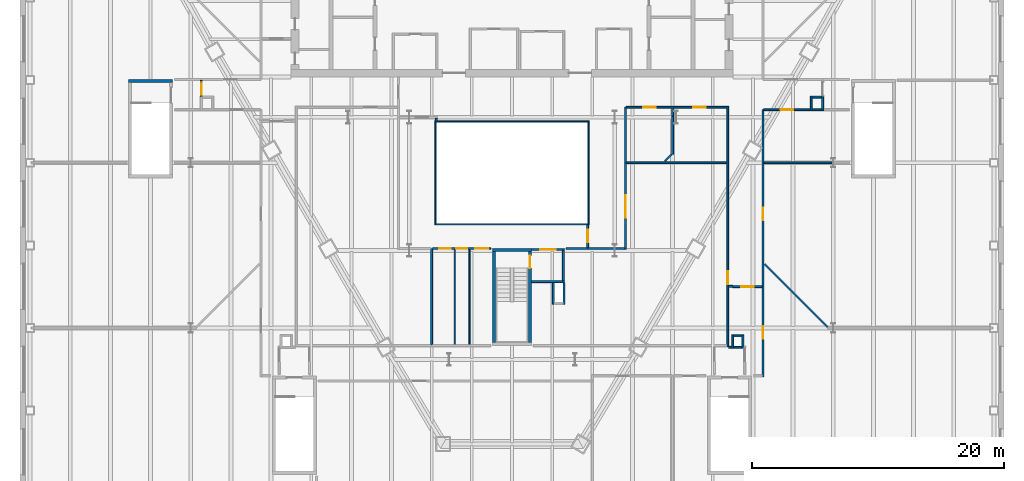
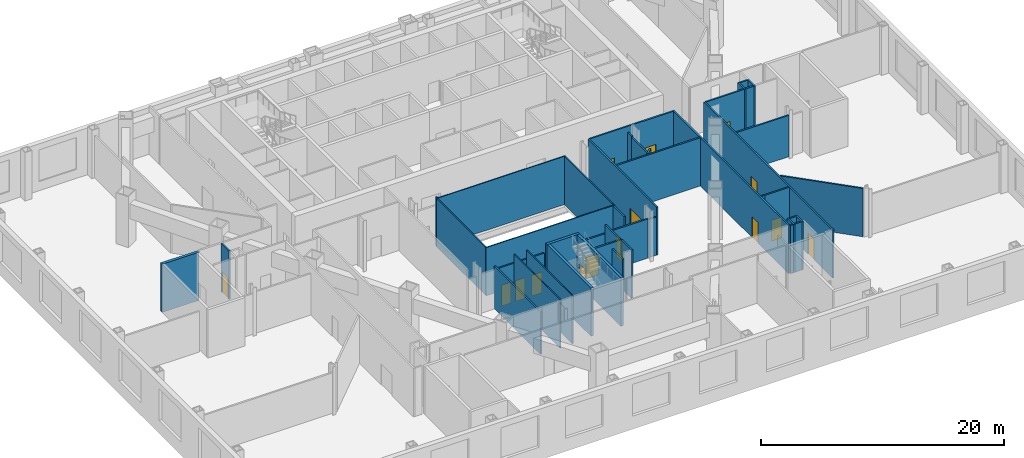
# One storey, part 10 of 17: 44 walls, 15 doors, 15 openings.
"""IFC4 building model written with IfcOpenShell, lengths in metres."""

import ifcopenshell
import ifcopenshell.guid

model = None  # the IFC model being written
_history = None  # IfcOwnerHistory: only IFC2X3 demands one
_inside = {}  # id of a spatial element -> (the spatial element, [elements in it])
_under = {}  # id of a project, library or spatial element -> (it, [spatial elements below it])
_declared = {}  # id of a project -> (the project, [libraries it declares])
_typed = {}  # id of a type object -> (the type object, [elements of that type])
_made_of = {}  # id of a material, layer set ... -> (it, [elements and type objects made of it])


def new_model(schema):
    """Start an empty IFC model of exactly this schema.

    Asked for "IFC4X3", IfcOpenShell would pick the latest addendum, in which some entities
    have other attributes; the version numbers below select the first issue.
    IFC2X3 requires an IfcOwnerHistory on every rooted entity: one is made here for all.
    """
    global model, _history
    if schema == "IFC4X3":
        model = ifcopenshell.file(schema_version=(4, 3, 0, 0))
    else:
        model = ifcopenshell.file(schema=schema)
    _inside.clear()
    _under.clear()
    _declared.clear()
    _typed.clear()
    _made_of.clear()
    _history = None
    if model.schema == "IFC2X3":
        org = make("IfcOrganization", Name="unknown")
        user = make(
            "IfcPersonAndOrganization",
            ThePerson=make("IfcPerson", FamilyName="unknown"),
            TheOrganization=org,
        )
        app = make(
            "IfcApplication",
            ApplicationDeveloper=org,
            Version="unknown",
            ApplicationFullName="unknown",
            ApplicationIdentifier="unknown",
        )
        _history = make(
            "IfcOwnerHistory",
            OwningUser=user,
            OwningApplication=app,
            ChangeAction="ADDED",
            CreationDate=0,
        )
    return model


def make(cls, **values):
    """One entity of the class cls with the attributes given. An attribute that is None is left unset."""
    return model.create_entity(
        cls, **{name: value for name, value in values.items() if value is not None}
    )


def rooted(cls, **values):
    """An entity with a GlobalId (a new one), such as an element, a storey or a relation."""
    return make(cls, GlobalId=ifcopenshell.guid.new(), OwnerHistory=_history, **values)


def si_unit(unit_type, name, prefix=None):
    """IfcSIUnit, for example si_unit("LENGTHUNIT", "METRE", prefix="MILLI")."""
    return make("IfcSIUnit", UnitType=unit_type, Prefix=prefix, Name=name)


def assignment(units):
    """IfcUnitAssignment: the units of a project."""
    return None if units is None else make("IfcUnitAssignment", Units=units)


def point(xyz):
    """IfcCartesianPoint."""
    return None if xyz is None else make("IfcCartesianPoint", Coordinates=xyz)


def direction(xyz):
    """IfcDirection."""
    return None if xyz is None else make("IfcDirection", DirectionRatios=xyz)


def frame(location, z_axis=None, x_axis=None):
    """IfcAxis2Placement3D, a coordinate frame: its origin and axes. An axis left out is left unset."""
    return make(
        "IfcAxis2Placement3D",
        Location=point(location),
        Axis=direction(z_axis),
        RefDirection=direction(x_axis),
    )


def frame_2d(location, x_axis=None):
    """IfcAxis2Placement2D, a coordinate frame in the plane: its origin and x axis."""
    return make(
        "IfcAxis2Placement2D", Location=point(location), RefDirection=direction(x_axis)
    )


def origin():
    """The frame at (0, 0, 0) with its axes left unset."""
    return frame((0.0, 0.0, 0.0))


def place(relative_to, where):
    """IfcLocalPlacement: puts the frame where relative to a parent placement (None: the world)."""
    return make(
        "IfcLocalPlacement", PlacementRelTo=relative_to, RelativePlacement=where
    )


def context(
    kind, dimensions, precision=None, world=None, true_north=None, identifier=None
):
    """IfcGeometricRepresentationContext, for example the 3D "Model" context."""
    return make(
        "IfcGeometricRepresentationContext",
        ContextIdentifier=identifier,
        ContextType=kind,
        CoordinateSpaceDimension=dimensions,
        Precision=precision,
        WorldCoordinateSystem=world,
        TrueNorth=true_north,
    )


def subcontext(parent, identifier, kind, view, scale=None):
    """IfcGeometricRepresentationSubContext, for example "Body" below "Model"."""
    return make(
        "IfcGeometricRepresentationSubContext",
        ContextIdentifier=identifier,
        ContextType=kind,
        ParentContext=parent,
        TargetScale=scale,
        TargetView=view,
    )


def project(units=None, contexts=None):
    """IfcProject with its units and contexts."""
    return rooted(
        "IfcProject",
        Name="project",
        RepresentationContexts=contexts,
        UnitsInContext=assignment(units),
    )


def spatial(cls, under=None, at=None, **own):
    """A site, building, storey or space (cls), placed at a placement, below another one or the project."""
    s = rooted(cls, ObjectPlacement=at, **own)
    if under is not None:
        _under.setdefault(under.id(), (under, []))[1].append(s)
    return s


def profile(cls, at=None, kind="AREA", **sizes):
    """A parametric profile (cls). Its sizes go by their IFC names, for example OverallWidth=200.0."""
    return make(cls, ProfileType=kind, Position=at, **sizes)


def rectangle(**sizes):
    """IfcRectangleProfileDef."""
    return profile("IfcRectangleProfileDef", **sizes)


def extrude(swept, where, along, depth):
    """IfcExtrudedAreaSolid: the profile swept, set in the frame where, extruded along a direction by depth."""
    return make(
        "IfcExtrudedAreaSolid",
        SweptArea=swept,
        Position=where,
        ExtrudedDirection=direction(along),
        Depth=depth,
    )


def shape(context_of_items, identifier, shape_type, items):
    """IfcShapeRepresentation: the items that make up one representation, for example the "Body"."""
    return make(
        "IfcShapeRepresentation",
        ContextOfItems=context_of_items,
        RepresentationIdentifier=identifier,
        RepresentationType=shape_type,
        Items=items,
    )


def material(Name=None, Category=None):
    """IfcMaterial."""
    return make("IfcMaterial", Name=Name, Category=Category)


def layer(
    of_material, thickness, ventilated=None, Name=None, Category=None, Priority=None
):
    """IfcMaterialLayer: one layer of a wall or slab, of a material (None: an air gap)."""
    return make(
        "IfcMaterialLayer",
        Material=of_material,
        LayerThickness=thickness,
        IsVentilated=ventilated,
        Name=Name,
        Category=Category,
        Priority=Priority,
    )


def layer_set(layers, Name=None):
    """IfcMaterialLayerSet."""
    return make("IfcMaterialLayerSet", MaterialLayers=layers, LayerSetName=Name)


def made_of(thing, what):
    """Note that an element or type object is made of a material, layer set ...; save() writes the relation."""
    if what is not None:
        _made_of.setdefault(what.id(), (what, []))[1].append(thing)
    return thing


def type_object(cls, material=None, **own):
    """A type object (cls), such as IfcWallType, which elements share."""
    return made_of(rooted(cls, **own), material)


def element(
    cls,
    number,
    at=None,
    inside=None,
    cuts=None,
    type_object=None,
    material=None,
    context=None,
    identifier="Body",
    shape_type=None,
    held_by="IfcProductDefinitionShape",
    body=None,
    shapes=None,
    **own,
):
    """One element of the class cls, such as IfcWall. Its Tag is "e" and its number.

    at: its placement. inside: the storey or other place that contains it. cuts: it is an
    opening in that element (IfcRelVoidsElement). A single representation is given by context,
    identifier, shape_type and body (its items); several are given by shapes. held_by: the class
    of the entity that holds the representations. save() writes the other relations.
    """
    e = rooted(cls, Tag="e%d" % number, ObjectPlacement=at, **own)
    if body is not None:
        shapes = [shape(context, identifier, shape_type, body)]
    if shapes is not None:
        e.Representation = make(held_by, Representations=shapes)
    if inside is not None:
        _inside.setdefault(inside.id(), (inside, []))[1].append(e)
    if cuts is not None:
        rooted(
            "IfcRelVoidsElement", RelatingBuildingElement=cuts, RelatedOpeningElement=e
        )
    if type_object is not None:
        _typed.setdefault(type_object.id(), (type_object, []))[1].append(e)
    return made_of(e, material)


def fill(opening, filler):
    """IfcRelFillsElement: the door or window that sits in an opening."""
    return rooted(
        "IfcRelFillsElement",
        RelatingOpeningElement=opening,
        RelatedBuildingElement=filler,
    )


def aggregate(whole, parts):
    """IfcRelAggregates: a whole, such as a stair, and the parts it consists of."""
    return rooted("IfcRelAggregates", RelatingObject=whole, RelatedObjects=parts)


def save(model, path):
    """Write the relations noted so far, then the file.

    IfcRelAggregates (storeys below a building ...), IfcRelContainedInSpatialStructure (elements
    in a storey), IfcRelDefinesByType, IfcRelAssociatesMaterial and IfcRelDeclares: one each for
    every whole, place, type object, material and project.
    """
    for whole, parts in _under.values():
        aggregate(whole, parts)
    for where, things in _inside.values():
        rooted(
            "IfcRelContainedInSpatialStructure",
            RelatedElements=things,
            RelatingStructure=where,
        )
    for kind, things in _typed.values():
        rooted("IfcRelDefinesByType", RelatedObjects=things, RelatingType=kind)
    for what, things in _made_of.values():
        rooted("IfcRelAssociatesMaterial", RelatedObjects=things, RelatingMaterial=what)
    for by, libraries in _declared.values():
        rooted("IfcRelDeclares", RelatingContext=by, RelatedDefinitions=libraries)
    model.write(path)


model = new_model("IFC4")

# Units and contexts
model_context = context("Model", 3, precision=1e-05, world=origin(), true_north=direction((0.0, 1.0)))
body_context = subcontext(model_context, "Body", "Model", "MODEL_VIEW")
ifc_project = project(units=[si_unit("LENGTHUNIT", "METRE"), si_unit("AREAUNIT", "SQUARE_METRE"), si_unit("VOLUMEUNIT", "CUBIC_METRE"), si_unit("PLANEANGLEUNIT", "RADIAN"), si_unit("MASSUNIT", "GRAM", prefix="KILO")], contexts=[model_context])

# Site, building, storey
site_placement = place(None, origin())
site = spatial("IfcSite", under=ifc_project, at=site_placement, CompositionType="ELEMENT")
building_placement = place(site_placement, origin())
building = spatial("IfcBuilding", under=site, at=building_placement, Name="Njiva Tower", CompositionType="ELEMENT")
storey_placement = place(building_placement, frame((0.0, 0.0, 23.7)))
storey = spatial("IfcBuildingStorey", under=building, at=storey_placement, Name="L04", CompositionType="ELEMENT", Elevation=23.7)

# Walls
ifc_material_1 = material(Name="Gypsum board on steel studs", Category="gypsum")
ifc_layer_1 = layer(ifc_material_1, 0.1)
ifc_layer_set_1 = layer_set([ifc_layer_1], Name="Gypsum board on steel studs")
wall_type_1 = type_object("IfcWallType", Name="WT20 Gypsum partition 100", PredefinedType="PARTITIONING", material=ifc_layer_set_1)
for number, where, z_axis, x_axis, name in (
    (1, (-4.544, -21.225, 0.0), (0.0, 0.0, 1.0), (0.0, 1.0, 0.0), "Partition L04-P044"),
    (2, (-3.375, -21.225, 0.0), (0.0, 0.0, 1.0), (0.0, 1.0, 0.0), "Partition L04-P045"),
):
    element("IfcWall", number, at=place(storey_placement, frame(where, z_axis=z_axis, x_axis=x_axis)), inside=storey, type_object=wall_type_1, Name=name, PredefinedType="PARTITIONING", context=body_context, shape_type="SweptSolid", body=[
        extrude(rectangle(XDim=7.55, YDim=0.1, at=frame_2d((3.775, 0.0))), origin(), (0.0, 0.0, 1.0), 4.85),
    ])

# Wall, opening, door
ifc_layer_2 = layer(ifc_material_1, 0.15)
ifc_layer_set_2 = layer_set([ifc_layer_2], Name="Gypsum board on steel studs")
wall_type_2 = type_object("IfcWallType", Name="WT21 Compartment wall 150", PredefinedType="PARTITIONING", material=ifc_layer_set_2)
wall_1_placement = place(storey_placement, frame((-24.625, -1.588, 0.0), z_axis=(0.0, 0.0, 1.0), x_axis=(0.0, 1.0, 0.0)))
wall_1 = element("IfcWall", 3, at=wall_1_placement, inside=storey, type_object=wall_type_2, Name="Partition L04-P010", PredefinedType="PARTITIONING", context=body_context, shape_type="SweptSolid", body=[
    extrude(rectangle(XDim=1.313, YDim=0.15, at=frame_2d((0.6565, 0.0))), origin(), (0.0, 0.0, 1.0), 4.85),
])
opening_1_placement = place(wall_1_placement, frame((0.157, 0.0, 0.0)))
opening_1 = element("IfcOpeningElement", 4, at=opening_1_placement, cuts=wall_1, Name="Opening L04-D002", PredefinedType="OPENING", context=body_context, shape_type="SweptSolid", body=[
    extrude(rectangle(XDim=1.0, YDim=2.1, at=frame_2d((0.5, 1.05))), frame((0.0, 0.085, 0.0), z_axis=(0.0, -1.0, 0.0), x_axis=(1.0, 0.0, 0.0)), (0.0, 0.0, 1.0), 0.17),
])
ifc_material_2 = material(Name="Glazed steel fire door", Category="steel")
door_type_1 = type_object("IfcDoorType", Name="D41 Glazed fire door 1000x2100", OperationType="SINGLE_SWING_LEFT", PredefinedType="DOOR", material=ifc_material_2)
door_1_placement = place(opening_1_placement, origin())
door_1 = element("IfcDoor", 5, at=door_1_placement, inside=storey, type_object=door_type_1, Name="Door L04-D002", OperationType="SINGLE_SWING_LEFT", OverallHeight=2.1, OverallWidth=1.0, PredefinedType="DOOR", context=body_context, shape_type="SweptSolid", body=[
    extrude(rectangle(XDim=1.0, YDim=2.1, at=frame_2d((0.5, 1.05))), frame((0.0, 0.025, 0.0), z_axis=(0.0, -1.0, 0.0), x_axis=(1.0, 0.0, 0.0)), (0.0, 0.0, 1.0), 0.05),
])
fill(opening_1, door_1)

# Wall
wall_2_placement = place(storey_placement, frame((-6.367, -21.225, 0.0), z_axis=(0.0, 0.0, 1.0), x_axis=(0.0, 1.0, 0.0)))
element("IfcWall", 6, at=wall_2_placement, inside=storey, type_object=wall_type_2, Name="Partition L04-P041", PredefinedType="PARTITIONING", context=body_context, shape_type="SweptSolid", body=[
    extrude(rectangle(XDim=7.621, YDim=0.15, at=frame_2d((3.8105, 0.0))), origin(), (0.0, 0.0, 1.0), 4.25),
])

# Wall, openings, doors
wall_3_placement = place(storey_placement, frame((-6.292, -13.6, 0.0), z_axis=(0.0, 0.0, 1.0), x_axis=(1.0, 0.0, 0.0)))
wall_3 = element("IfcWall", 7, at=wall_3_placement, inside=storey, type_object=wall_type_2, Name="Partition L04-P042", PredefinedType="PARTITIONING", context=body_context, shape_type="SweptSolid", body=[
    extrude(rectangle(XDim=4.592, YDim=0.15, at=frame_2d((2.296, 0.0))), origin(), (0.0, 0.0, 1.0), 3.94),
])
opening_2_placement = place(wall_3_placement, frame((0.536, 0.0, 0.0)))
opening_2 = element("IfcOpeningElement", 8, at=opening_2_placement, cuts=wall_3, Name="Opening L04-D015", PredefinedType="OPENING", context=body_context, shape_type="SweptSolid", body=[
    extrude(rectangle(XDim=0.9, YDim=2.1, at=frame_2d((0.45, 1.05))), frame((0.0, 0.085, 0.0), z_axis=(0.0, -1.0, 0.0), x_axis=(1.0, 0.0, 0.0)), (0.0, 0.0, 1.0), 0.17),
])
opening_3_placement = place(wall_3_placement, frame((1.854, 0.0, 0.0)))
opening_3 = element("IfcOpeningElement", 9, at=opening_3_placement, cuts=wall_3, Name="Opening L04-D016", PredefinedType="OPENING", context=body_context, shape_type="SweptSolid", body=[
    extrude(rectangle(XDim=0.9, YDim=2.1, at=frame_2d((0.45, 1.05))), frame((0.0, 0.085, 0.0), z_axis=(0.0, -1.0, 0.0), x_axis=(1.0, 0.0, 0.0)), (0.0, 0.0, 1.0), 0.17),
])
opening_4_placement = place(wall_3_placement, frame((3.392, 0.0, 0.0)))
opening_4 = element("IfcOpeningElement", 10, at=opening_4_placement, cuts=wall_3, Name="Opening L04-D017", PredefinedType="OPENING", context=body_context, shape_type="SweptSolid", body=[
    extrude(rectangle(XDim=1.0, YDim=2.1, at=frame_2d((0.5, 1.05))), frame((0.0, 0.085, 0.0), z_axis=(0.0, -1.0, 0.0), x_axis=(1.0, 0.0, 0.0)), (0.0, 0.0, 1.0), 0.17),
])
ifc_material_3 = material(Name="Steel fire door set", Category="steel")
door_type_2 = type_object("IfcDoorType", Name="D36 Fire door 900x2100", OperationType="SINGLE_SWING_LEFT", PredefinedType="DOOR", material=ifc_material_3)
door_2_placement = place(opening_2_placement, origin())
door_2 = element("IfcDoor", 11, at=door_2_placement, inside=storey, type_object=door_type_2, Name="Door L04-D015", OperationType="SINGLE_SWING_LEFT", OverallHeight=2.1, OverallWidth=0.9, PredefinedType="DOOR", context=body_context, shape_type="SweptSolid", body=[
    extrude(rectangle(XDim=0.9, YDim=2.1, at=frame_2d((0.45, 1.05))), frame((0.0, 0.025, 0.0), z_axis=(0.0, -1.0, 0.0), x_axis=(1.0, 0.0, 0.0)), (0.0, 0.0, 1.0), 0.05),
])
fill(opening_2, door_2)
door_3_placement = place(opening_3_placement, origin())
door_3 = element("IfcDoor", 12, at=door_3_placement, inside=storey, type_object=door_type_2, Name="Door L04-D016", OperationType="SINGLE_SWING_RIGHT", OverallHeight=2.1, OverallWidth=0.9, PredefinedType="DOOR", context=body_context, shape_type="SweptSolid", body=[
    extrude(rectangle(XDim=0.9, YDim=2.1, at=frame_2d((0.45, 1.05))), frame((0.0, 0.025, 0.0), z_axis=(0.0, -1.0, 0.0), x_axis=(1.0, 0.0, 0.0)), (0.0, 0.0, 1.0), 0.05),
])
fill(opening_3, door_3)
door_type_3 = type_object("IfcDoorType", Name="D37 Fire door 1000x2100", OperationType="SINGLE_SWING_LEFT", PredefinedType="DOOR", material=ifc_material_3)
door_4_placement = place(opening_4_placement, origin())
door_4 = element("IfcDoor", 13, at=door_4_placement, inside=storey, type_object=door_type_3, Name="Door L04-D017", OperationType="SINGLE_SWING_RIGHT", OverallHeight=2.1, OverallWidth=1.0, PredefinedType="DOOR", context=body_context, shape_type="SweptSolid", body=[
    extrude(rectangle(XDim=1.0, YDim=2.1, at=frame_2d((0.5, 1.05))), frame((0.0, 0.025, 0.0), z_axis=(0.0, -1.0, 0.0), x_axis=(1.0, 0.0, 0.0)), (0.0, 0.0, 1.0), 0.05),
])
fill(opening_4, door_4)

# Walls
wall_4_placement = place(storey_placement, frame((-6.0, -3.48, 0.0), z_axis=(0.0, 0.0, 1.0), x_axis=(0.0, 1.0, 0.0)))
element("IfcWall", 14, at=wall_4_placement, inside=storey, type_object=wall_type_2, Name="Partition L04-P043", PredefinedType="PARTITIONING", context=body_context, shape_type="SweptSolid", body=[
    extrude(rectangle(XDim=0.205, YDim=0.15, at=frame_2d((0.1025, 0.0))), origin(), (0.0, 0.0, 1.0), 4.85),
])
wall_5_placement = place(storey_placement, frame((4.3, -13.6, 0.0), z_axis=(0.0, 0.0, 1.0), x_axis=(1.0, 0.0, 0.0)))
element("IfcWall", 15, at=wall_5_placement, inside=storey, type_object=wall_type_2, Name="Partition L04-P048", PredefinedType="PARTITIONING", context=body_context, shape_type="SweptSolid", body=[
    extrude(rectangle(XDim=3.85, YDim=0.15, at=frame_2d((1.925, 0.0))), origin(), (0.0, 0.0, 1.0), 3.94),
])
wall_6_placement = place(storey_placement, frame((8.15, -13.6, 0.0), z_axis=(0.0, 0.0, 1.0), x_axis=(1.0, 0.0, 0.0)))
element("IfcWall", 16, at=wall_6_placement, inside=storey, type_object=wall_type_2, Name="Partition L04-P048A", PredefinedType="PARTITIONING", context=body_context, shape_type="SweptSolid", body=[
    extrude(rectangle(XDim=0.775, YDim=0.15, at=frame_2d((0.3875, 0.0))), origin(), (0.0, 0.0, 1.0), 3.842),
])

# Wall, opening, door
wall_7_placement = place(storey_placement, frame((6.0, -13.525, 0.0), z_axis=(0.0, 0.0, 1.0), x_axis=(0.0, 1.0, 0.0)))
wall_7 = element("IfcWall", 17, at=wall_7_placement, inside=storey, type_object=wall_type_2, Name="Partition L04-P049", PredefinedType="PARTITIONING", context=body_context, shape_type="SweptSolid", body=[
    extrude(rectangle(XDim=1.805, YDim=0.15, at=frame_2d((0.9025, 0.0))), origin(), (0.0, 0.0, 1.0), 4.85),
])
opening_5_placement = place(wall_7_placement, frame((0.403, 0.0, 0.0)))
opening_5 = element("IfcOpeningElement", 18, at=opening_5_placement, cuts=wall_7, Name="Opening L04-D018", PredefinedType="OPENING", context=body_context, shape_type="SweptSolid", body=[
    extrude(rectangle(XDim=1.0, YDim=2.1, at=frame_2d((0.5, 1.05))), frame((0.0, 0.085, 0.0), z_axis=(0.0, -1.0, 0.0), x_axis=(1.0, 0.0, 0.0)), (0.0, 0.0, 1.0), 0.17),
])
door_5_placement = place(opening_5_placement, origin())
door_5 = element("IfcDoor", 19, at=door_5_placement, inside=storey, type_object=door_type_3, Name="Door L04-D018", OperationType="SINGLE_SWING_RIGHT", OverallHeight=2.1, OverallWidth=1.0, PredefinedType="DOOR", context=body_context, shape_type="SweptSolid", body=[
    extrude(rectangle(XDim=1.0, YDim=2.1, at=frame_2d((0.5, 1.05))), frame((0.0, 0.025, 0.0), z_axis=(0.0, -1.0, 0.0), x_axis=(1.0, 0.0, 0.0)), (0.0, 0.0, 1.0), 0.05),
])
fill(opening_5, door_5)

wall_8_placement = place(storey_placement, frame((9.0, -13.675, 0.0), z_axis=(0.0, 0.0, 1.0), x_axis=(0.0, 1.0, 0.0)))
wall_8 = element("IfcWall", 20, at=wall_8_placement, inside=storey, type_object=wall_type_2, Name="Partition L04-P053", PredefinedType="PARTITIONING", context=body_context, shape_type="SweptSolid", body=[
    extrude(rectangle(XDim=11.287, YDim=0.15, at=frame_2d((5.6435, 0.0))), origin(), (0.0, 0.0, 1.0), 4.85),
])
opening_6_placement = place(wall_8_placement, frame((2.498, 0.0, 0.0)))
opening_6 = element("IfcOpeningElement", 21, at=opening_6_placement, cuts=wall_8, Name="Opening L04-D020", PredefinedType="OPENING", context=body_context, shape_type="SweptSolid", body=[
    extrude(rectangle(XDim=1.8, YDim=2.1, at=frame_2d((0.9, 1.05))), frame((0.0, 0.085, 0.0), z_axis=(0.0, -1.0, 0.0), x_axis=(1.0, 0.0, 0.0)), (0.0, 0.0, 1.0), 0.17),
])
door_type_4 = type_object("IfcDoorType", Name="D38 Fire door 1800x2100", OperationType="DOUBLE_DOOR_SINGLE_SWING", PredefinedType="DOOR", material=ifc_material_3)
door_6_placement = place(opening_6_placement, origin())
door_6 = element("IfcDoor", 22, at=door_6_placement, inside=storey, type_object=door_type_4, Name="Door L04-D020", OperationType="DOUBLE_DOOR_SINGLE_SWING", OverallHeight=2.1, OverallWidth=1.8, PredefinedType="DOOR", context=body_context, shape_type="SweptSolid", body=[
    extrude(rectangle(XDim=1.8, YDim=2.1, at=frame_2d((0.9, 1.05))), frame((0.0, 0.025, 0.0), z_axis=(0.0, -1.0, 0.0), x_axis=(1.0, 0.0, 0.0)), (0.0, 0.0, 1.0), 0.05),
])
fill(opening_6, door_6)

# Wall
wall_9_placement = place(storey_placement, frame((9.075, -6.8, 0.0), z_axis=(0.0, 0.0, 1.0), x_axis=(1.0, 0.0, 0.0)))
element("IfcWall", 23, at=wall_9_placement, inside=storey, type_object=wall_type_2, Name="Partition L04-P054", PredefinedType="PARTITIONING", context=body_context, shape_type="SweptSolid", body=[
    extrude(rectangle(XDim=7.95, YDim=0.15, at=frame_2d((3.975, 0.0))), origin(), (0.0, 0.0, 1.0), 4.85),
])

# Wall, openings, doors
wall_10_placement = place(storey_placement, frame((9.075, -2.4, 0.0), z_axis=(0.0, 0.0, 1.0), x_axis=(1.0, 0.0, 0.0)))
wall_10 = element("IfcWall", 24, at=wall_10_placement, inside=storey, type_object=wall_type_2, Name="Partition L04-P055", PredefinedType="PARTITIONING", context=body_context, shape_type="SweptSolid", body=[
    extrude(rectangle(XDim=7.95, YDim=0.15, at=frame_2d((3.975, 0.0))), origin(), (0.0, 0.0, 1.0), 4.85),
])
opening_7_placement = place(wall_10_placement, frame((1.329, 0.0, 0.0)))
opening_7 = element("IfcOpeningElement", 25, at=opening_7_placement, cuts=wall_10, Name="Opening L04-D021", PredefinedType="OPENING", context=body_context, shape_type="SweptSolid", body=[
    extrude(rectangle(XDim=1.0, YDim=2.1, at=frame_2d((0.5, 1.05))), frame((0.0, 0.085, 0.0), z_axis=(0.0, -1.0, 0.0), x_axis=(1.0, 0.0, 0.0)), (0.0, 0.0, 1.0), 0.17),
])
opening_8_placement = place(wall_10_placement, frame((5.279, 0.0, 0.0)))
opening_8 = element("IfcOpeningElement", 26, at=opening_8_placement, cuts=wall_10, Name="Opening L04-D022", PredefinedType="OPENING", context=body_context, shape_type="SweptSolid", body=[
    extrude(rectangle(XDim=1.0, YDim=2.1, at=frame_2d((0.5, 1.05))), frame((0.0, 0.085, 0.0), z_axis=(0.0, -1.0, 0.0), x_axis=(1.0, 0.0, 0.0)), (0.0, 0.0, 1.0), 0.17),
])
door_7_placement = place(opening_7_placement, origin())
door_7 = element("IfcDoor", 27, at=door_7_placement, inside=storey, type_object=door_type_3, Name="Door L04-D021", OperationType="SINGLE_SWING_LEFT", OverallHeight=2.1, OverallWidth=1.0, PredefinedType="DOOR", context=body_context, shape_type="SweptSolid", body=[
    extrude(rectangle(XDim=1.0, YDim=2.1, at=frame_2d((0.5, 1.05))), frame((0.0, 0.025, 0.0), z_axis=(0.0, -1.0, 0.0), x_axis=(1.0, 0.0, 0.0)), (0.0, 0.0, 1.0), 0.05),
])
fill(opening_7, door_7)
door_8_placement = place(opening_8_placement, origin())
door_8 = element("IfcDoor", 28, at=door_8_placement, inside=storey, type_object=door_type_3, Name="Door L04-D022", OperationType="SINGLE_SWING_RIGHT", OverallHeight=2.1, OverallWidth=1.0, PredefinedType="DOOR", context=body_context, shape_type="SweptSolid", body=[
    extrude(rectangle(XDim=1.0, YDim=2.1, at=frame_2d((0.5, 1.05))), frame((0.0, 0.025, 0.0), z_axis=(0.0, -1.0, 0.0), x_axis=(1.0, 0.0, 0.0)), (0.0, 0.0, 1.0), 0.05),
])
fill(opening_8, door_8)

# Walls
wall_11_placement = place(storey_placement, frame((12.128, -6.672, 0.0), z_axis=(0.0, 0.0, 1.0), x_axis=(0.707106781187, 0.707106781187, 0.0)))
element("IfcWall", 29, at=wall_11_placement, inside=storey, type_object=wall_type_2, Name="Partition L04-P057", PredefinedType="PARTITIONING", context=body_context, shape_type="SweptSolid", body=[
    extrude(rectangle(XDim=0.7495, YDim=0.15, at=frame_2d((0.3748, 0.0))), origin(), (0.0, 0.0, 1.0), 4.85),
])
wall_12_placement = place(storey_placement, frame((12.733, -6.142, 0.0), z_axis=(0.0, 0.0, 1.0), x_axis=(0.0, 1.0, 0.0)))
element("IfcWall", 30, at=wall_12_placement, inside=storey, type_object=wall_type_2, Name="Partition L04-P059", PredefinedType="PARTITIONING", context=body_context, shape_type="SweptSolid", body=[
    extrude(rectangle(XDim=3.042, YDim=0.15, at=frame_2d((1.521, 0.0))), origin(), (0.0, 0.0, 1.0), 4.16),
])
wall_13_placement = place(storey_placement, frame((12.733, -3.1, 0.0), z_axis=(0.0, 0.0, 1.0), x_axis=(0.0, 1.0, 0.0)))
element("IfcWall", 31, at=wall_13_placement, inside=storey, type_object=wall_type_2, Name="Partition L04-P059A", PredefinedType="PARTITIONING", context=body_context, shape_type="SweptSolid", body=[
    extrude(rectangle(XDim=0.625, YDim=0.15, at=frame_2d((0.3125, 0.0))), origin(), (0.0, 0.0, 1.0), 4.25),
])

# Wall, opening, door
wall_14_placement = place(storey_placement, frame((17.1, -21.375, 0.0), z_axis=(0.0, 0.0, 1.0), x_axis=(0.0, 1.0, 0.0)))
wall_14 = element("IfcWall", 32, at=wall_14_placement, inside=storey, type_object=wall_type_2, Name="Partition L04-P062", PredefinedType="PARTITIONING", context=body_context, shape_type="SweptSolid", body=[
    extrude(rectangle(XDim=19.05, YDim=0.15, at=frame_2d((9.525, 0.0))), origin(), (0.0, 0.0, 1.0), 4.85),
])
opening_9_placement = place(wall_14_placement, frame((4.963, 0.0, 0.0)))
opening_9 = element("IfcOpeningElement", 33, at=opening_9_placement, cuts=wall_14, Name="Opening L04-D025", PredefinedType="OPENING", context=body_context, shape_type="SweptSolid", body=[
    extrude(rectangle(XDim=1.0, YDim=2.1, at=frame_2d((0.5, 1.05))), frame((0.0, 0.085, 0.0), z_axis=(0.0, -1.0, 0.0), x_axis=(1.0, 0.0, 0.0)), (0.0, 0.0, 1.0), 0.17),
])
door_9_placement = place(opening_9_placement, origin())
door_9 = element("IfcDoor", 34, at=door_9_placement, inside=storey, type_object=door_type_3, Name="Door L04-D025", OperationType="SINGLE_SWING_LEFT", OverallHeight=2.1, OverallWidth=1.0, PredefinedType="DOOR", context=body_context, shape_type="SweptSolid", body=[
    extrude(rectangle(XDim=1.0, YDim=2.1, at=frame_2d((0.5, 1.05))), frame((0.0, 0.025, 0.0), z_axis=(0.0, -1.0, 0.0), x_axis=(1.0, 0.0, 0.0)), (0.0, 0.0, 1.0), 0.05),
])
fill(opening_9, door_9)

# Walls
wall_15_placement = place(storey_placement, frame((17.175, -21.425, 0.0), z_axis=(0.0, 0.0, 1.0), x_axis=(1.0, 0.0, 0.0)))
element("IfcWall", 35, at=wall_15_placement, inside=storey, type_object=wall_type_2, Name="Partition L04-P063", PredefinedType="PARTITIONING", context=body_context, shape_type="SweptSolid", body=[
    extrude(rectangle(XDim=0.25, YDim=0.15, at=frame_2d((0.125, 0.0))), origin(), (0.0, 0.0, 1.0), 4.85),
])
wall_16_placement = place(storey_placement, frame((17.175, -16.6, 0.0), z_axis=(0.0, 0.0, 1.0), x_axis=(1.0, 0.0, 0.0)))
element("IfcWall", 36, at=wall_16_placement, inside=storey, type_object=wall_type_2, Name="Partition L04-P064", PredefinedType="PARTITIONING", context=body_context, shape_type="SweptSolid", body=[
    extrude(rectangle(XDim=0.325, YDim=0.15, at=frame_2d((0.1625, 0.0))), origin(), (0.0, 0.0, 1.0), 4.85),
])

# Wall, opening, door
wall_17_placement = place(storey_placement, frame((17.5, -16.625, 0.0), z_axis=(0.0, 0.0, 1.0), x_axis=(1.0, 0.0, 0.0)))
wall_17 = element("IfcWall", 37, at=wall_17_placement, inside=storey, type_object=wall_type_2, Name="Partition L04-P066", PredefinedType="PARTITIONING", context=body_context, shape_type="SweptSolid", body=[
    extrude(rectangle(XDim=2.325, YDim=0.15, at=frame_2d((1.1625, 0.0))), origin(), (0.0, 0.0, 1.0), 4.85),
])
opening_10_placement = place(wall_17_placement, frame((0.662, 0.0, 0.0)))
opening_10 = element("IfcOpeningElement", 38, at=opening_10_placement, cuts=wall_17, Name="Opening L04-D026", PredefinedType="OPENING", context=body_context, shape_type="SweptSolid", body=[
    extrude(rectangle(XDim=1.0, YDim=2.1, at=frame_2d((0.5, 1.05))), frame((0.0, 0.085, 0.0), z_axis=(0.0, -1.0, 0.0), x_axis=(1.0, 0.0, 0.0)), (0.0, 0.0, 1.0), 0.17),
])
door_10_placement = place(opening_10_placement, origin())
door_10 = element("IfcDoor", 39, at=door_10_placement, inside=storey, type_object=door_type_3, Name="Door L04-D026", OperationType="SINGLE_SWING_RIGHT", OverallHeight=2.1, OverallWidth=1.0, PredefinedType="DOOR", context=body_context, shape_type="SweptSolid", body=[
    extrude(rectangle(XDim=1.0, YDim=2.1, at=frame_2d((0.5, 1.05))), frame((0.0, 0.025, 0.0), z_axis=(0.0, -1.0, 0.0), x_axis=(1.0, 0.0, 0.0)), (0.0, 0.0, 1.0), 0.05),
])
fill(opening_10, door_10)

# Wall, openings, doors
wall_18_placement = place(storey_placement, frame((19.9, -23.775, 0.0), z_axis=(0.0, 0.0, 1.0), x_axis=(0.0, 1.0, 0.0)))
wall_18 = element("IfcWall", 40, at=wall_18_placement, inside=storey, type_object=wall_type_2, Name="Partition L04-P074", PredefinedType="PARTITIONING", context=body_context, shape_type="SweptSolid", body=[
    extrude(rectangle(XDim=21.187, YDim=0.15, at=frame_2d((10.5935, 0.0))), origin(), (0.0, 0.0, 1.0), 4.85),
])
opening_11_placement = place(wall_18_placement, frame((3.017, 0.0, 0.0)))
opening_11 = element("IfcOpeningElement", 41, at=opening_11_placement, cuts=wall_18, Name="Opening L04-D028", PredefinedType="OPENING", context=body_context, shape_type="SweptSolid", body=[
    extrude(rectangle(XDim=1.0, YDim=2.1, at=frame_2d((0.5, 1.05))), frame((0.0, 0.085, 0.0), z_axis=(0.0, -1.0, 0.0), x_axis=(1.0, 0.0, 0.0)), (0.0, 0.0, 1.0), 0.17),
])
opening_12_placement = place(wall_18_placement, frame((12.423, 0.0, 0.0)))
opening_12 = element("IfcOpeningElement", 42, at=opening_12_placement, cuts=wall_18, Name="Opening L04-D029", PredefinedType="OPENING", context=body_context, shape_type="SweptSolid", body=[
    extrude(rectangle(XDim=1.0, YDim=2.1, at=frame_2d((0.5, 1.05))), frame((0.0, 0.085, 0.0), z_axis=(0.0, -1.0, 0.0), x_axis=(1.0, 0.0, 0.0)), (0.0, 0.0, 1.0), 0.17),
])
door_11_placement = place(opening_11_placement, origin())
door_11 = element("IfcDoor", 43, at=door_11_placement, inside=storey, type_object=door_type_3, Name="Door L04-D028", OperationType="SINGLE_SWING_LEFT", OverallHeight=2.1, OverallWidth=1.0, PredefinedType="DOOR", context=body_context, shape_type="SweptSolid", body=[
    extrude(rectangle(XDim=1.0, YDim=2.1, at=frame_2d((0.5, 1.05))), frame((0.0, 0.025, 0.0), z_axis=(0.0, -1.0, 0.0), x_axis=(1.0, 0.0, 0.0)), (0.0, 0.0, 1.0), 0.05),
])
fill(opening_11, door_11)
door_12_placement = place(opening_12_placement, origin())
door_12 = element("IfcDoor", 44, at=door_12_placement, inside=storey, type_object=door_type_3, Name="Door L04-D029", OperationType="SINGLE_SWING_RIGHT", OverallHeight=2.1, OverallWidth=1.0, PredefinedType="DOOR", context=body_context, shape_type="SweptSolid", body=[
    extrude(rectangle(XDim=1.0, YDim=2.1, at=frame_2d((0.5, 1.05))), frame((0.0, 0.025, 0.0), z_axis=(0.0, -1.0, 0.0), x_axis=(1.0, 0.0, 0.0)), (0.0, 0.0, 1.0), 0.05),
])
fill(opening_12, door_12)

# Wall
wall_19_placement = place(storey_placement, frame((19.975, -6.8, 0.0), z_axis=(0.0, 0.0, 1.0), x_axis=(1.0, 0.0, 0.0)))
element("IfcWall", 45, at=wall_19_placement, inside=storey, type_object=wall_type_2, Name="Partition L04-P079", PredefinedType="PARTITIONING", context=body_context, shape_type="SweptSolid", body=[
    extrude(rectangle(XDim=5.492, YDim=0.15, at=frame_2d((2.746, 0.0))), origin(), (0.0, 0.0, 1.0), 4.16),
])

# Wall, opening, door
wall_20_placement = place(storey_placement, frame((19.975, -2.6, 0.0), z_axis=(0.0, 0.0, 1.0), x_axis=(1.0, 0.0, 0.0)))
wall_20 = element("IfcWall", 46, at=wall_20_placement, inside=storey, type_object=wall_type_2, Name="Partition L04-P080", PredefinedType="PARTITIONING", context=body_context, shape_type="SweptSolid", body=[
    extrude(rectangle(XDim=3.675, YDim=0.15, at=frame_2d((1.8375, 0.0))), origin(), (0.0, 0.0, 1.0), 4.85),
])
opening_13_placement = place(wall_20_placement, frame((1.312, 0.0, 0.0)))
opening_13 = element("IfcOpeningElement", 47, at=opening_13_placement, cuts=wall_20, Name="Opening L04-D032", PredefinedType="OPENING", context=body_context, shape_type="SweptSolid", body=[
    extrude(rectangle(XDim=1.0, YDim=2.1, at=frame_2d((0.5, 1.05))), frame((0.0, 0.085, 0.0), z_axis=(0.0, -1.0, 0.0), x_axis=(1.0, 0.0, 0.0)), (0.0, 0.0, 1.0), 0.17),
])
door_13_placement = place(opening_13_placement, origin())
door_13 = element("IfcDoor", 48, at=door_13_placement, inside=storey, type_object=door_type_3, Name="Door L04-D032", OperationType="SINGLE_SWING_LEFT", OverallHeight=2.1, OverallWidth=1.0, PredefinedType="DOOR", context=body_context, shape_type="SweptSolid", body=[
    extrude(rectangle(XDim=1.0, YDim=2.1, at=frame_2d((0.5, 1.05))), frame((0.0, 0.025, 0.0), z_axis=(0.0, -1.0, 0.0), x_axis=(1.0, 0.0, 0.0)), (0.0, 0.0, 1.0), 0.05),
])
fill(opening_13, door_13)

# Walls
wall_21_placement = place(storey_placement, frame((20.028, -14.827, 0.0), z_axis=(0.0, 0.0, 1.0), x_axis=(0.707106781187, -0.707106781187, 0.0)))
element("IfcWall", 49, at=wall_21_placement, inside=storey, type_object=wall_type_2, Name="Partition L04-P081", PredefinedType="PARTITIONING", context=body_context, shape_type="SweptSolid", body=[
    extrude(rectangle(XDim=7.0682, YDim=0.15, at=frame_2d((3.5341, 0.0))), origin(), (0.0, 0.0, 1.0), 4.85),
])
ifc_layer_3 = layer(ifc_material_1, 0.15)
ifc_layer_set_3 = layer_set([ifc_layer_3], Name="Gypsum board on steel studs")
wall_type_3 = type_object("IfcWallType", Name="WT24 Riser room wall 150", PredefinedType="PARTITIONING", material=ifc_layer_set_3)
wall_22_placement = place(storey_placement, frame((17.5, -21.5, 0.0), z_axis=(0.0, 0.0, 1.0), x_axis=(0.0, 1.0, 0.0)))
element("IfcWall", 50, at=wall_22_placement, inside=storey, type_object=wall_type_3, Name="Partition L04-P065", PredefinedType="PARTITIONING", context=body_context, shape_type="SweptSolid", body=[
    extrude(rectangle(XDim=1.05, YDim=0.15, at=frame_2d((0.525, 0.0))), origin(), (0.0, 0.0, 1.0), 4.85),
])
for number, where, z_axis, x_axis, name in (
    (51, (17.575, -21.425, 0.0), (0.0, 0.0, 1.0), (1.0, 0.0, 0.0), "Partition L04-P068"),
    (52, (17.575, -20.525, 0.0), (0.0, 0.0, 1.0), (1.0, 0.0, 0.0), "Partition L04-P069"),
):
    element("IfcWall", number, at=place(storey_placement, frame(where, z_axis=z_axis, x_axis=x_axis)), inside=storey, type_object=wall_type_3, Name=name, PredefinedType="PARTITIONING", context=body_context, shape_type="SweptSolid", body=[
        extrude(rectangle(XDim=0.65, YDim=0.15, at=frame_2d((0.325, 0.0))), origin(), (0.0, 0.0, 1.0), 4.85),
    ])
wall_23_placement = place(storey_placement, frame((18.3, -21.5, 0.0), z_axis=(0.0, 0.0, 1.0), x_axis=(0.0, 1.0, 0.0)))
element("IfcWall", 53, at=wall_23_placement, inside=storey, type_object=wall_type_3, Name="Partition L04-P070", PredefinedType="PARTITIONING", context=body_context, shape_type="SweptSolid", body=[
    extrude(rectangle(XDim=1.05, YDim=0.15, at=frame_2d((0.525, 0.0))), origin(), (0.0, 0.0, 1.0), 4.85),
])
wall_24_placement = place(storey_placement, frame((23.725, -2.675, 0.0), z_axis=(0.0, 0.0, 1.0), x_axis=(0.0, 1.0, 0.0)))
element("IfcWall", 54, at=wall_24_placement, inside=storey, type_object=wall_type_3, Name="Partition L04-P083", PredefinedType="PARTITIONING", context=body_context, shape_type="SweptSolid", body=[
    extrude(rectangle(XDim=1.15, YDim=0.15, at=frame_2d((0.575, 0.0))), origin(), (0.0, 0.0, 1.0), 4.85),
])
for number, where, z_axis, x_axis, name in (
    (55, (23.8, -2.6, 0.0), (0.0, 0.0, 1.0), (1.0, 0.0, 0.0), "Partition L04-P084"),
    (56, (23.8, -1.6, 0.0), (0.0, 0.0, 1.0), (1.0, 0.0, 0.0), "Partition L04-P085"),
):
    element("IfcWall", number, at=place(storey_placement, frame(where, z_axis=z_axis, x_axis=x_axis)), inside=storey, type_object=wall_type_3, Name=name, PredefinedType="PARTITIONING", context=body_context, shape_type="SweptSolid", body=[
        extrude(rectangle(XDim=0.75, YDim=0.15, at=frame_2d((0.375, 0.0))), origin(), (0.0, 0.0, 1.0), 4.85),
    ])
wall_25_placement = place(storey_placement, frame((24.625, -2.675, 0.0), z_axis=(0.0, 0.0, 1.0), x_axis=(0.0, 1.0, 0.0)))
element("IfcWall", 57, at=wall_25_placement, inside=storey, type_object=wall_type_3, Name="Partition L04-P086", PredefinedType="PARTITIONING", context=body_context, shape_type="SweptSolid", body=[
    extrude(rectangle(XDim=1.087, YDim=0.15, at=frame_2d((0.5435, 0.0))), origin(), (0.0, 0.0, 1.0), 4.85),
])
ifc_material_4 = material(Name="Blockwork", Category="masonry")
ifc_layer_4 = layer(ifc_material_4, 0.15)
ifc_layer_set_4 = layer_set([ifc_layer_4], Name="Blockwork")
wall_type_4 = type_object("IfcWallType", Name="WT4 Stair partition 150", PredefinedType="PARTITIONING", material=ifc_layer_set_4)
wall_26_placement = place(storey_placement, frame((1.55, -16.225, 0.0), z_axis=(0.0, 0.0, 1.0), x_axis=(1.0, 0.0, 0.0)))
element("IfcWall", 58, at=wall_26_placement, inside=storey, type_object=wall_type_4, Name="Stair C vestibule wall south", PredefinedType="PARTITIONING", context=body_context, shape_type="SweptSolid", body=[
    extrude(rectangle(XDim=2.6, YDim=0.15, at=frame_2d((1.3, 0.0))), origin(), (0.0, 0.0, 1.0), 4.85),
])
wall_27_placement = place(storey_placement, frame((4.075, -16.15, 0.0), z_axis=(0.0, 0.0, 1.0), x_axis=(0.0, 1.0, 0.0)))
element("IfcWall", 59, at=wall_27_placement, inside=storey, type_object=wall_type_4, Name="Stair C vestibule wall east", PredefinedType="PARTITIONING", context=body_context, shape_type="SweptSolid", body=[
    extrude(rectangle(XDim=2.4, YDim=0.15, at=frame_2d((1.2, 0.0))), origin(), (0.0, 0.0, 1.0), 4.85),
])

# Wall, opening, door
wall_28_placement = place(storey_placement, frame((1.55, -13.675, 0.0), z_axis=(0.0, 0.0, 1.0), x_axis=(1.0, 0.0, 0.0)))
wall_28 = element("IfcWall", 60, at=wall_28_placement, inside=storey, type_object=wall_type_4, Name="Stair C vestibule wall north", PredefinedType="PARTITIONING", context=body_context, shape_type="SweptSolid", body=[
    extrude(rectangle(XDim=2.6, YDim=0.15, at=frame_2d((1.3, 0.0))), origin(), (0.0, 0.0, 1.0), 3.94),
])
opening_14_placement = place(wall_28_placement, frame((0.675, 0.0, 0.0)))
opening_14 = element("IfcOpeningElement", 61, at=opening_14_placement, cuts=wall_28, Name="Opening L04-D940", PredefinedType="OPENING", context=body_context, shape_type="SweptSolid", body=[
    extrude(rectangle(XDim=1.25, YDim=2.1, at=frame_2d((0.625, 1.05))), frame((0.0, 0.085, 0.0), z_axis=(0.0, -1.0, 0.0), x_axis=(1.0, 0.0, 0.0)), (0.0, 0.0, 1.0), 0.17),
])
door_type_5 = type_object("IfcDoorType", Name="D8 Vestibule corridor door 1250x2100 glazed", OperationType="SINGLE_SWING_LEFT", PredefinedType="DOOR", material=ifc_material_2)
door_14_placement = place(opening_14_placement, origin())
door_14 = element("IfcDoor", 62, at=door_14_placement, inside=storey, type_object=door_type_5, Name="Stair vestibule corridor door", OperationType="SINGLE_SWING_RIGHT", OverallHeight=2.1, OverallWidth=1.25, PredefinedType="DOOR", context=body_context, shape_type="SweptSolid", body=[
    extrude(rectangle(XDim=1.25, YDim=2.1, at=frame_2d((0.625, 1.05))), frame((0.0, 0.025, 0.0), z_axis=(0.0, -1.0, 0.0), x_axis=(1.0, 0.0, 0.0)), (0.0, 0.0, 1.0), 0.05),
])
fill(opening_14, door_14)

# Walls
wall_29_placement = place(storey_placement, frame((3.275, -18.0, 0.0), z_axis=(0.0, 0.0, 1.0), x_axis=(0.0, 1.0, 0.0)))
element("IfcWall", 63, at=wall_29_placement, inside=storey, type_object=wall_type_4, Name="Stair C pressurisation shaft wall", PredefinedType="PARTITIONING", context=body_context, shape_type="SweptSolid", body=[
    extrude(rectangle(XDim=1.7, YDim=0.15, at=frame_2d((0.85, 0.0))), origin(), (0.0, 0.0, 1.0), 4.25),
])
wall_30_placement = place(storey_placement, frame((4.125, -18.0, 0.0), z_axis=(0.0, 0.0, 1.0), x_axis=(0.0, 1.0, 0.0)))
element("IfcWall", 64, at=wall_30_placement, inside=storey, type_object=wall_type_4, Name="Stair C pressurisation shaft wall", PredefinedType="PARTITIONING", context=body_context, shape_type="SweptSolid", body=[
    extrude(rectangle(XDim=1.7, YDim=0.15, at=frame_2d((0.85, 0.0))), origin(), (0.0, 0.0, 1.0), 4.85),
])
ifc_material_5 = material(Name="Concrete C40/50", Category="concrete")
ifc_layer_5 = layer(ifc_material_5, 0.25)
ifc_layer_set_5 = layer_set([ifc_layer_5], Name="Concrete C40/50")
wall_type_5 = type_object("IfcWallType", Name="WT9 Stair enclosure wall 250", PredefinedType="SHEAR", material=ifc_layer_set_5)
wall_31_placement = place(storey_placement, frame((-1.425, -21.05, 0.0), z_axis=(0.0, 0.0, 1.0), x_axis=(0.0, 1.0, 0.0)))
element("IfcWall", 65, at=wall_31_placement, inside=storey, type_object=wall_type_5, Name="Stair C wall west", PredefinedType="SHEAR", context=body_context, shape_type="SweptSolid", body=[
    extrude(rectangle(XDim=7.2, YDim=0.25, at=frame_2d((3.6, 0.0))), origin(), (0.0, 0.0, 1.0), 4.85),
])

# Wall, opening, door
wall_32_placement = place(storey_placement, frame((1.425, -21.05, 0.0), z_axis=(0.0, 0.0, 1.0), x_axis=(0.0, 1.0, 0.0)))
wall_32 = element("IfcWall", 66, at=wall_32_placement, inside=storey, type_object=wall_type_5, Name="Stair C wall east", PredefinedType="SHEAR", context=body_context, shape_type="SweptSolid", body=[
    extrude(rectangle(XDim=7.2, YDim=0.25, at=frame_2d((3.6, 0.0))), origin(), (0.0, 0.0, 1.0), 4.85),
])
opening_15_placement = place(wall_32_placement, frame((5.89, 0.0, 0.0)))
opening_15 = element("IfcOpeningElement", 67, at=opening_15_placement, cuts=wall_32, Name="Opening L04-D939", PredefinedType="OPENING", context=body_context, shape_type="SweptSolid", body=[
    extrude(rectangle(XDim=1.0, YDim=2.1, at=frame_2d((0.5, 1.05))), frame((0.0, 0.135, 0.0), z_axis=(0.0, -1.0, 0.0), x_axis=(1.0, 0.0, 0.0)), (0.0, 0.0, 1.0), 0.27),
])
door_type_6 = type_object("IfcDoorType", Name="D9 Stair vestibule door 1000x2100 glazed", OperationType="SINGLE_SWING_LEFT", PredefinedType="DOOR", material=ifc_material_2)
door_15_placement = place(opening_15_placement, origin())
door_15 = element("IfcDoor", 68, at=door_15_placement, inside=storey, type_object=door_type_6, Name="Stair C door", OperationType="SINGLE_SWING_LEFT", OverallHeight=2.1, OverallWidth=1.0, PredefinedType="DOOR", context=body_context, shape_type="SweptSolid", body=[
    extrude(rectangle(XDim=1.0, YDim=2.1, at=frame_2d((0.5, 1.05))), frame((0.0, 0.025, 0.0), z_axis=(0.0, -1.0, 0.0), x_axis=(1.0, 0.0, 0.0)), (0.0, 0.0, 1.0), 0.05),
])
fill(opening_15, door_15)

# Walls
wall_33_placement = place(storey_placement, frame((-1.55, -13.725, 0.0), z_axis=(0.0, 0.0, 1.0), x_axis=(1.0, 0.0, 0.0)))
element("IfcWall", 69, at=wall_33_placement, inside=storey, type_object=wall_type_5, Name="Stair C wall north", PredefinedType="SHEAR", context=body_context, shape_type="SweptSolid", body=[
    extrude(rectangle(XDim=3.1, YDim=0.25, at=frame_2d((1.55, 0.0))), origin(), (0.0, 0.0, 1.0), 4.85),
])
wall_34_placement = place(storey_placement, frame((-30.4, -0.325, 0.0), z_axis=(0.0, 0.0, 1.0), x_axis=(1.0, 0.0, 0.0)))
element("IfcWall", 70, at=wall_34_placement, inside=storey, type_object=wall_type_5, Name="Stair F wall north", PredefinedType="SHEAR", context=body_context, shape_type="SweptSolid", body=[
    extrude(rectangle(XDim=3.5, YDim=0.25, at=frame_2d((1.75, 0.0))), origin(), (0.0, 0.0, 1.0), 4.85),
])
ifc_material_6 = material(Name="Fire-resisting glazing EI 90", Category="glass")
ifc_layer_6 = layer(ifc_material_6, 0.1)
ifc_layer_set_6 = layer_set([ifc_layer_6], Name="Fire-resisting glazing EI 90")
wall_type_6 = type_object("IfcWallType", Name="WT95 Fire-resisting glazed screen EI 90", PredefinedType="PARTITIONING", material=ifc_layer_set_6)
wall_35_placement = place(storey_placement, frame((-6.12, -11.67, 0.0), z_axis=(0.0, 0.0, 1.0), x_axis=(1.0, 0.0, 0.0)))
element("IfcWall", 71, at=wall_35_placement, inside=storey, type_object=wall_type_6, Name="Atrium fire screen south", PredefinedType="PARTITIONING", context=body_context, shape_type="SweptSolid", body=[
    extrude(rectangle(XDim=12.24, YDim=0.1, at=frame_2d((6.12, 0.0))), origin(), (0.0, 0.0, 1.0), 4.85),
])
wall_36_placement = place(storey_placement, frame((6.07, -11.62, 0.0), z_axis=(0.0, 0.0, 1.0), x_axis=(0.0, 1.0, 0.0)))
element("IfcWall", 72, at=wall_36_placement, inside=storey, type_object=wall_type_6, Name="Atrium fire screen east", PredefinedType="PARTITIONING", context=body_context, shape_type="SweptSolid", body=[
    extrude(rectangle(XDim=8.04, YDim=0.1, at=frame_2d((4.02, 0.0))), origin(), (0.0, 0.0, 1.0), 4.85),
])
wall_37_placement = place(storey_placement, frame((6.12, -3.53, 0.0), z_axis=(0.0, 0.0, 1.0), x_axis=(-1.0, 0.0, 0.0)))
element("IfcWall", 73, at=wall_37_placement, inside=storey, type_object=wall_type_6, Name="Atrium fire screen north", PredefinedType="PARTITIONING", context=body_context, shape_type="SweptSolid", body=[
    extrude(rectangle(XDim=12.24, YDim=0.1, at=frame_2d((6.12, 0.0))), origin(), (0.0, 0.0, 1.0), 4.85),
])
wall_38_placement = place(storey_placement, frame((-6.07, -3.58, 0.0), z_axis=(0.0, 0.0, 1.0), x_axis=(0.0, -1.0, 0.0)))
element("IfcWall", 74, at=wall_38_placement, inside=storey, type_object=wall_type_6, Name="Atrium fire screen west", PredefinedType="PARTITIONING", context=body_context, shape_type="SweptSolid", body=[
    extrude(rectangle(XDim=8.04, YDim=0.1, at=frame_2d((4.02, 0.0))), origin(), (0.0, 0.0, 1.0), 4.85),
])

save(model, "model.ifc")
